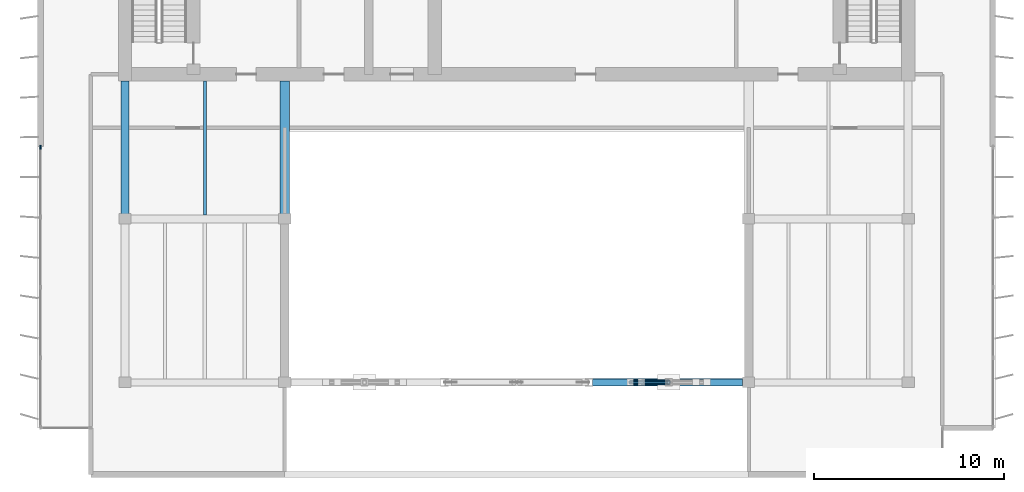
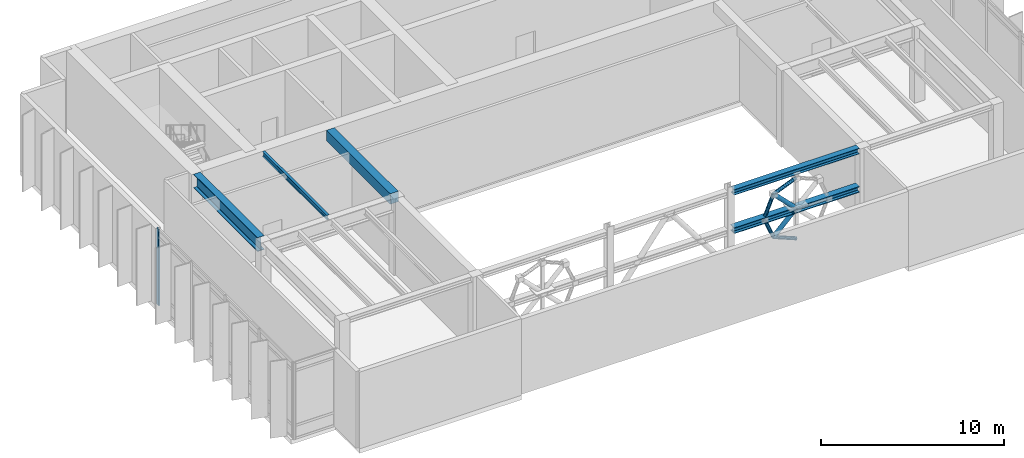
# One storey, part 3 of 10: 8 members, 5 beams, 1 element without a shape of its own.
"""IFC4 building model written with IfcOpenShell, lengths in metres."""

from ifc_helpers import new_model, si_unit, direction, frame, origin, origin_2d, place, context, subcontext, project, spatial, rectangle, hollow_circle, i_section, extrude, material, layer, layer_set, material_profile, profile_set, type_object, element, aggregate, save


model = new_model("IFC4")

# Units and contexts
model_context = context("Model", 3, precision=1e-05, world=origin(), true_north=direction((0.0, 1.0)))
body_context = subcontext(model_context, "Body", "Model", "MODEL_VIEW")
ifc_project = project(units=[si_unit("LENGTHUNIT", "METRE"), si_unit("AREAUNIT", "SQUARE_METRE"), si_unit("VOLUMEUNIT", "CUBIC_METRE"), si_unit("PLANEANGLEUNIT", "RADIAN"), si_unit("MASSUNIT", "GRAM", prefix="KILO")], contexts=[model_context])

# Site, building, storey
site_placement = place(None, origin())
site = spatial("IfcSite", under=ifc_project, at=site_placement, CompositionType="ELEMENT")
building_placement = place(site_placement, origin())
building = spatial("IfcBuilding", under=site, at=building_placement, Name="Caelmar Bay Residences", CompositionType="ELEMENT")
storey_placement = place(building_placement, frame((0.0, 0.0, 284.800048828125)))
storey = spatial("IfcBuildingStorey", under=building, at=storey_placement, Name="L79", CompositionType="ELEMENT", Elevation=284.800048828125)

# Beams
ifc_material_1 = material(Name="Steel ASTM A992 Grade 50", Category="steel")
ifc_material_profile_1 = material_profile(ifc_material_1, i_section(OverallWidth=0.373046875, OverallDepth=0.373046875, WebThickness=0.016357421875, FlangeThickness=0.026123046875, FilletRadius=0.01513671875, at=origin_2d()), Name="W14X132")
ifc_profile_set_1 = profile_set([ifc_material_profile_1], Name="Steel ASTM A992 Grade 50")
beam_type_1 = type_object("IfcBeamType", Name="BM-CHD-W14X132", PredefinedType="BEAM", material=ifc_profile_set_1)
beam_1_placement = place(storey_placement, frame((42.8955078125, 20.800048828125, 4.913330078125), z_axis=(1.0, 0.0, 0.0), x_axis=(0.0, 1.0, 0.0)))
element("IfcBeam", 1, at=beam_1_placement, inside=storey, type_object=beam_type_1, Name="L79 East-West Girder Y=20.80 (42.7-51.1)", PredefinedType="BEAM", context=body_context, shape_type="SweptSolid", body=[
    extrude(i_section(OverallWidth=0.373046875, OverallDepth=0.373046875, WebThickness=0.016357421875, FlangeThickness=0.026123046875, FilletRadius=0.01513671875, at=origin_2d()), origin(), (0.0, 0.0, 1.0), 7.889404296875),
])
ifc_material_profile_2 = material_profile(ifc_material_1, i_section(OverallWidth=0.40087890625, OverallDepth=0.39892578125, WebThickness=0.02490234375, FlangeThickness=0.03955078125, FilletRadius=0.01513671875, at=origin_2d()), Name="W14X211")
ifc_profile_set_2 = profile_set([ifc_material_profile_2], Name="Steel ASTM A992 Grade 50")
beam_type_2 = type_object("IfcBeamType", Name="BM-CHD-W14X211", PredefinedType="BEAM", material=ifc_profile_set_2)
beam_2_placement = place(storey_placement, frame((42.8955078125, 20.800048828125, 2.371337890625), z_axis=(1.0, 0.0, 0.0), x_axis=(0.0, 1.0, 0.0)))
element("IfcBeam", 2, at=beam_2_placement, inside=storey, type_object=beam_type_2, Name="Venturi Turbine Nacelle Hub Support Beam 3", PredefinedType="BEAM", context=body_context, shape_type="SweptSolid", body=[
    extrude(i_section(OverallWidth=0.40087890625, OverallDepth=0.39892578125, WebThickness=0.02490234375, FlangeThickness=0.03955078125, FilletRadius=0.01513671875, at=origin_2d()), origin(), (0.0, 0.0, 1.0), 7.889404296875),
])
ifc_material_profile_3 = material_profile(ifc_material_1, i_section(OverallWidth=0.422119140625, OverallDepth=0.925048828125, WebThickness=0.021240234375, FlangeThickness=0.03662109375, FilletRadius=0.020263671875, at=origin_2d()), Name="W36X262")
ifc_profile_set_3 = profile_set([ifc_material_profile_3], Name="Steel ASTM A992 Grade 50")
beam_type_3 = type_object("IfcBeamType", Name="BM-GRD-W36X262", PredefinedType="BEAM", material=ifc_profile_set_3)
beam_3_placement = place(storey_placement, frame((18.300048828125, 29.6650390625, 4.637451171875), z_axis=(0.0, 1.0, 0.0), x_axis=(-1.0, 0.0, 0.0)))
element("IfcBeam", 3, at=beam_3_placement, inside=storey, type_object=beam_type_3, Name="L79 Core Tie Girder X=18.30", PredefinedType="BEAM", context=body_context, shape_type="SweptSolid", body=[
    extrude(i_section(OverallWidth=0.422119140625, OverallDepth=0.925048828125, WebThickness=0.021240234375, FlangeThickness=0.03662109375, FilletRadius=0.020263671875, at=origin_2d()), origin(), (0.0, 0.0, 1.0), 6.98486328125),
])
ifc_material_profile_4 = material_profile(ifc_material_1, i_section(OverallWidth=0.1650390625, OverallDepth=0.31005859375, WebThickness=0.005859375, FlangeThickness=0.009765625, FilletRadius=0.007568359375, at=origin_2d()), Name="W12X26")
ifc_profile_set_4 = profile_set([ifc_material_profile_4], Name="Steel ASTM A992 Grade 50")
beam_type_4 = type_object("IfcBeamType", Name="BM-JST-W12X26", PredefinedType="JOIST", material=ifc_profile_set_4)
beam_4_placement = place(storey_placement, frame((22.5, 29.611083984375, 4.945068359375), z_axis=(0.0, 1.0, 0.0), x_axis=(-1.0, 0.0, 0.0)))
element("IfcBeam", 4, at=beam_4_placement, inside=storey, type_object=beam_type_4, Name="L79 Core-Band Composite Joist 7", PredefinedType="JOIST", context=body_context, shape_type="SweptSolid", body=[
    extrude(i_section(OverallWidth=0.1650390625, OverallDepth=0.31005859375, WebThickness=0.005859375, FlangeThickness=0.009765625, FilletRadius=0.007568359375, at=origin_2d()), origin(), (0.0, 0.0, 1.0), 7.038818359375),
])
ifc_material_2 = material(Name="Concrete f'c 55 MPa (8,000 psi)", Category="concrete")
ifc_material_profile_5 = material_profile(ifc_material_2, rectangle(XDim=0.5, YDim=0.699951171875, at=origin_2d()), Name="RC-BM-500X700")
ifc_profile_set_5 = profile_set([ifc_material_profile_5], Name="Concrete f'c 55 MPa (8,000 psi)")
beam_type_5 = type_object("IfcBeamType", Name="BM-RC-500X700", PredefinedType="LINTEL", material=ifc_profile_set_5)
beam_5_placement = place(storey_placement, frame((26.699951171875, 29.6650390625, 4.75), z_axis=(0.0, 1.0, 0.0), x_axis=(-1.0, 0.0, 0.0)))
element("IfcBeam", 5, at=beam_5_placement, inside=storey, type_object=beam_type_5, Name="L79 Shear-Wall Corridor Coupling Lintel W5", PredefinedType="LINTEL", context=body_context, shape_type="SweptSolid", body=[
    extrude(rectangle(XDim=0.5, YDim=0.699951171875, at=origin_2d()), origin(), (0.0, 0.0, 1.0), 6.98486328125),
])

# Curtain wall, member
ifc_material_3 = material(Name="Anodised bronze aluminium 6063-T6 and laminated glass", Category="aluminium")
ifc_layer = layer(ifc_material_3, 0.179931640625)
ifc_layer_set = layer_set([ifc_layer], Name="Anodised bronze aluminium 6063-T6 and laminated glass")
curtain_wall_type = type_object("IfcCurtainWallType", Name="CW7-CRN", PredefinedType="NOTDEFINED", material=ifc_layer_set)
curtain_wall_placement = place(storey_placement, origin())
curtain_wall = element("IfcCurtainWall", 6, at=curtain_wall_placement, inside=storey, type_object=curtain_wall_type, Name="CW7 curtain wall L79", PredefinedType="NOTDEFINED")
ifc_material_4 = material(Name="Anodised bronze aluminium 6063-T6", Category="aluminium")
ifc_material_profile_6 = material_profile(ifc_material_4, rectangle(XDim=0.080078125, YDim=0.219970703125, at=origin_2d()), Name="CWM-80X220")
ifc_profile_set_6 = profile_set([ifc_material_profile_6], Name="Anodised bronze aluminium 6063-T6")
member_type_1 = type_object("IfcMemberType", Name="CWM-220", PredefinedType="MULLION", material=ifc_profile_set_6)
member_1_placement = place(storey_placement, frame((13.85009765625, 33.159912109375, 0.0), z_axis=(0.0, 0.0, 1.0), x_axis=(-1.0, 0.0, 0.0)))
member_1 = element("IfcMember", 7, at=member_1_placement, type_object=member_type_1, Name="CW7 mullion 5", PredefinedType="MULLION", context=body_context, shape_type="SweptSolid", body=[
    extrude(rectangle(XDim=0.080078125, YDim=0.219970703125, at=origin_2d()), origin(), (0.0, 0.0, 1.0), 5.099853515625),
])
aggregate(curtain_wall, [member_1])

# Members
ifc_material_5 = material(Name="Steel ASTM A500 Grade C", Category="steel")
ifc_material_profile_7 = material_profile(ifc_material_5, hollow_circle(Radius=0.109619140625, WallThickness=0.01171875, at=origin_2d()), Name="CHS219X12.7")
ifc_profile_set_7 = profile_set([ifc_material_profile_7], Name="Steel ASTM A500 Grade C")
member_type_2 = type_object("IfcMemberType", Name="MEM-SHR-CHS219", PredefinedType="STRUT", material=ifc_profile_set_7)
member_2_placement = place(storey_placement, frame((46.89990234375, 20.800048828125, 4.390869140625), z_axis=(-0.923887870913, 0.0, -0.382663301063), x_axis=(0.0, -1.0, 0.0)))
element("IfcMember", 8, at=member_2_placement, inside=storey, type_object=member_type_2, Name="Venturi Rotor 2 Octagonal Shroud Ring Segment 3", PredefinedType="STRUT", context=body_context, shape_type="SweptSolid", body=[
    extrude(hollow_circle(Radius=0.109619140625, WallThickness=0.01171875, at=origin_2d()), origin(), (0.0, 0.0, 1.0), 1.5458984375),
])
member_3_placement = place(storey_placement, frame((45.4716796875, 20.800048828125, 3.79931640625), z_axis=(-0.382742253016, 0.0, -0.923855166006), x_axis=(0.0, -1.0, 0.0)))
element("IfcMember", 9, at=member_3_placement, inside=storey, type_object=member_type_2, Name="Venturi Rotor 2 Octagonal Shroud Ring Segment 4", PredefinedType="STRUT", context=body_context, shape_type="SweptSolid", body=[
    extrude(hollow_circle(Radius=0.109619140625, WallThickness=0.01171875, at=origin_2d()), origin(), (0.0, 0.0, 1.0), 1.546142578125),
])
for number, where, z_axis, x_axis, name in (
    (10, (44.8798828125, 20.800048828125, 2.370849609375), (0.38279809258, 0.0, -0.923832030359), (0.0, 1.0, 0.0), "Venturi Rotor 2 Octagonal Shroud Ring Segment 5"),
    (11, (45.4716796875, 20.800048828125, 0.942626953125), (0.923832030359, 0.0, -0.38279809258), (0.0, 1.0, 0.0), "Venturi Rotor 2 Octagonal Shroud Ring Segment 6"),
):
    element("IfcMember", number, at=place(storey_placement, frame(where, z_axis=z_axis, x_axis=x_axis)), inside=storey, type_object=member_type_2, Name=name, PredefinedType="STRUT", context=body_context, shape_type="SweptSolid", body=[
        extrude(hollow_circle(Radius=0.109619140625, WallThickness=0.01171875, at=origin_2d()), origin(), (0.0, 0.0, 1.0), 1.5458984375),
    ])
ifc_material_profile_8 = material_profile(ifc_material_5, hollow_circle(Radius=0.136474609375, WallThickness=0.014892578125, at=origin_2d()), Name="CHS273X15.9")
ifc_profile_set_8 = profile_set([ifc_material_profile_8], Name="Steel ASTM A500 Grade C")
member_type_3 = type_object("IfcMemberType", Name="MEM-SHR-CHS273", PredefinedType="BRACE", material=ifc_profile_set_8)
for number, where, z_axis, x_axis, name in (
    (12, (46.89990234375, 20.800048828125, 2.370849609375), (-0.707046347292, 0.0, 0.707167209916), (0.0, -1.0, 0.0), "Venturi Rotor 2 Shroud Radial Strut 4"),
    (13, (46.89990234375, 20.800048828125, 2.370849609375), (-1.0, 0.0, 0.0), (0.0, -1.0, 0.0), "Venturi Rotor 2 Shroud Radial Strut 5"),
):
    element("IfcMember", number, at=place(storey_placement, frame(where, z_axis=z_axis, x_axis=x_axis)), inside=storey, type_object=member_type_3, Name=name, PredefinedType="BRACE", context=body_context, shape_type="SweptSolid", body=[
        extrude(hollow_circle(Radius=0.136474609375, WallThickness=0.014892578125, at=origin_2d()), origin(), (0.0, 0.0, 1.0), 2.02001953125),
    ])
member_4_placement = place(storey_placement, frame((46.89990234375, 20.800048828125, 2.370849609375), z_axis=(-0.707106781187, 0.0, -0.707106781187), x_axis=(0.0, -1.0, 0.0)))
element("IfcMember", 14, at=member_4_placement, inside=storey, type_object=member_type_3, Name="Venturi Rotor 2 Shroud Radial Strut 6", PredefinedType="BRACE", context=body_context, shape_type="SweptSolid", body=[
    extrude(hollow_circle(Radius=0.136474609375, WallThickness=0.014892578125, at=origin_2d()), origin(), (0.0, 0.0, 1.0), 2.019775390625),
])

save(model, "model.ifc")
